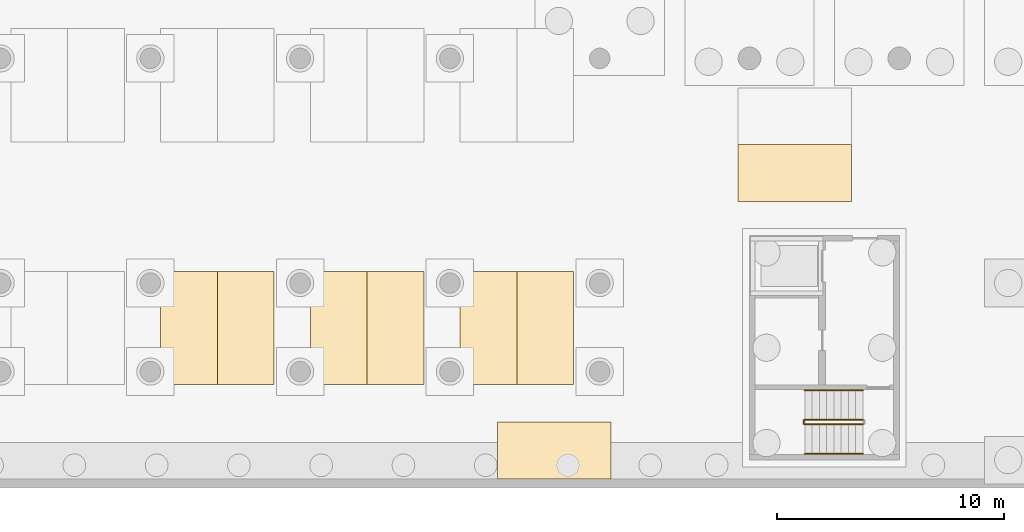
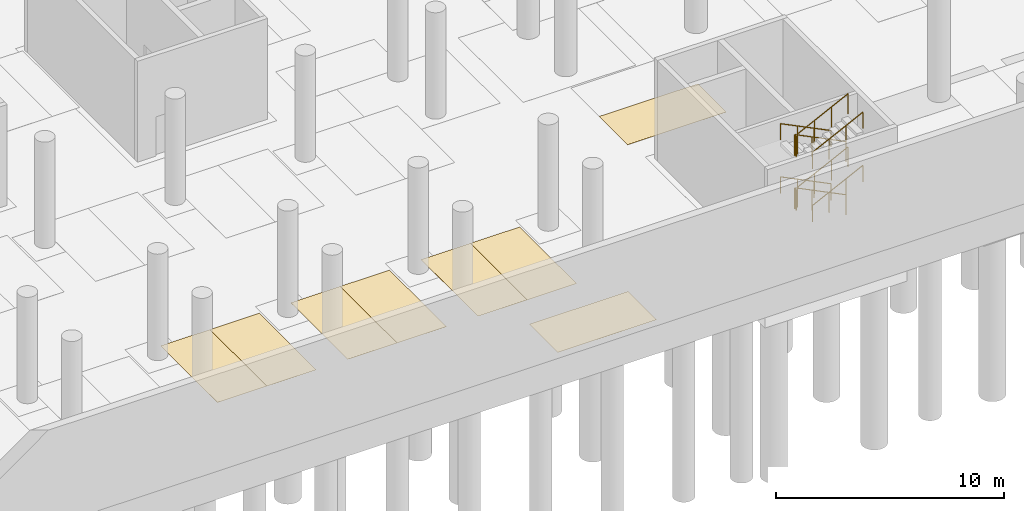
# One storey, part 24 of 38: 10 railings, 8 coverings.
"""IFC4 building model written with IfcOpenShell, lengths in metres."""

from ifc_helpers import new_model, si_unit, direction, frame, origin, origin_2d, place, context, subcontext, project, spatial, polyline, circle, outline, extrude, material, layer, layer_set, type_object, element, save


model = new_model("IFC4")

# Units and contexts
model_context = context("Model", 3, precision=1e-05, world=origin(), true_north=direction((0.0, 1.0)))
body_context = subcontext(model_context, "Body", "Model", "MODEL_VIEW")
ifc_project = project(units=[si_unit("LENGTHUNIT", "METRE"), si_unit("AREAUNIT", "SQUARE_METRE"), si_unit("VOLUMEUNIT", "CUBIC_METRE"), si_unit("PLANEANGLEUNIT", "RADIAN"), si_unit("MASSUNIT", "GRAM", prefix="KILO")], contexts=[model_context])

# Site, building, storey
site_placement = place(None, origin())
site = spatial("IfcSite", under=ifc_project, at=site_placement, CompositionType="ELEMENT")
building_placement = place(site_placement, origin())
building = spatial("IfcBuilding", under=site, at=building_placement, Name="Lantern Court Research Institute", CompositionType="ELEMENT")
storey_placement = place(building_placement, frame((0.0, 0.0, -5.699951171875)))
storey = spatial("IfcBuildingStorey", under=building, at=storey_placement, Name="B1", CompositionType="ELEMENT", Elevation=-5.699951171875)

# Coverings
ifc_material_1 = material(Name="Thermoplastic road marking paint")
ifc_layer_1 = layer(ifc_material_1, 0.0029296875)
ifc_layer_set_1 = layer_set([ifc_layer_1], Name="Thermoplastic road marking paint")
covering_type_1 = type_object("IfcCoveringType", Name="Electric vehicle parking bay marking", PredefinedType="FLOORING", material=ifc_layer_set_1)
covering_1_placement = place(storey_placement, origin())
element("IfcCovering", 1, at=covering_1_placement, inside=storey, type_object=covering_type_1, Name="Electric vehicle parking bay marking 01", PredefinedType="FLOORING", context=body_context, shape_type="SweptSolid", body=[
    extrude(outline(polyline([(52.300048828125, 3.60009765625), (57.300048828125, 3.60009765625), (57.300048828125, 6.10009765625), (52.300048828125, 6.10009765625), (52.300048828125, 3.60009765625)])), origin(), (0.0, 0.0, 1.0), 0.0029296875),
])
ifc_material_2 = material(Name="Thermoplastic road marking paint")
ifc_layer_2 = layer(ifc_material_2, 0.0029296875)
ifc_layer_set_2 = layer_set([ifc_layer_2], Name="Thermoplastic road marking paint")
covering_type_2 = type_object("IfcCoveringType", Name="Parking bay marking", PredefinedType="FLOORING", material=ifc_layer_set_2)
covering_2_placement = place(storey_placement, origin())
element("IfcCovering", 2, at=covering_2_placement, inside=storey, type_object=covering_type_2, Name="Parking bay marking 001", PredefinedType="FLOORING", context=body_context, shape_type="SweptSolid", body=[
    extrude(outline(polyline([(41.699951171875, -8.6298828125), (46.699951171875, -8.6298828125), (46.699951171875, -6.1298828125), (41.699951171875, -6.1298828125), (41.699951171875, -8.6298828125)])), origin(), (0.0, 0.0, 1.0), 0.0029296875),
])
covering_3_placement = place(storey_placement, origin())
element("IfcCovering", 3, at=covering_3_placement, inside=storey, type_object=covering_type_2, Name="Parking bay marking 011", PredefinedType="FLOORING", context=body_context, shape_type="SweptSolid", body=[
    extrude(outline(polyline([(26.85009765625, -4.47998046875), (29.35009765625, -4.47998046875), (29.35009765625, 0.52001953125), (26.85009765625, 0.52001953125), (26.85009765625, -4.47998046875)])), origin(), (0.0, 0.0, 1.0), 0.0029296875),
])
covering_4_placement = place(storey_placement, origin())
element("IfcCovering", 4, at=covering_4_placement, inside=storey, type_object=covering_type_2, Name="Parking bay marking 012", PredefinedType="FLOORING", context=body_context, shape_type="SweptSolid", body=[
    extrude(outline(polyline([(29.35009765625, -4.47998046875), (31.85009765625, -4.47998046875), (31.85009765625, 0.52001953125), (29.35009765625, 0.52001953125), (29.35009765625, -4.47998046875)])), origin(), (0.0, 0.0, 1.0), 0.0029296875),
])
covering_5_placement = place(storey_placement, origin())
element("IfcCovering", 5, at=covering_5_placement, inside=storey, type_object=covering_type_2, Name="Parking bay marking 013", PredefinedType="FLOORING", context=body_context, shape_type="SweptSolid", body=[
    extrude(outline(polyline([(33.449951171875, -4.47998046875), (35.949951171875, -4.47998046875), (35.949951171875, 0.52001953125), (33.449951171875, 0.52001953125), (33.449951171875, -4.47998046875)])), origin(), (0.0, 0.0, 1.0), 0.0029296875),
])
covering_6_placement = place(storey_placement, origin())
element("IfcCovering", 6, at=covering_6_placement, inside=storey, type_object=covering_type_2, Name="Parking bay marking 014", PredefinedType="FLOORING", context=body_context, shape_type="SweptSolid", body=[
    extrude(outline(polyline([(35.949951171875, -4.47998046875), (38.449951171875, -4.47998046875), (38.449951171875, 0.52001953125), (35.949951171875, 0.52001953125), (35.949951171875, -4.47998046875)])), origin(), (0.0, 0.0, 1.0), 0.0029296875),
])
covering_7_placement = place(storey_placement, origin())
element("IfcCovering", 7, at=covering_7_placement, inside=storey, type_object=covering_type_2, Name="Parking bay marking 015", PredefinedType="FLOORING", context=body_context, shape_type="SweptSolid", body=[
    extrude(outline(polyline([(40.050048828125, -4.47998046875), (42.550048828125, -4.47998046875), (42.550048828125, 0.52001953125), (40.050048828125, 0.52001953125), (40.050048828125, -4.47998046875)])), origin(), (0.0, 0.0, 1.0), 0.0029296875),
])
covering_8_placement = place(storey_placement, origin())
element("IfcCovering", 8, at=covering_8_placement, inside=storey, type_object=covering_type_2, Name="Parking bay marking 016", PredefinedType="FLOORING", context=body_context, shape_type="SweptSolid", body=[
    extrude(outline(polyline([(42.550048828125, -4.47998046875), (45.050048828125, -4.47998046875), (45.050048828125, 0.52001953125), (42.550048828125, 0.52001953125), (42.550048828125, -4.47998046875)])), origin(), (0.0, 0.0, 1.0), 0.0029296875),
])

# Railings
ifc_material_3 = material(Name="Structural steel S355", Category="steel")
railing_type_1 = type_object("IfcRailingType", Name="Stair guard 1100 steel", PredefinedType="GUARDRAIL", material=ifc_material_3)
railing_1_placement = place(storey_placement, frame((57.800048828125, -6.02490234375, 0.158203125)))
element("IfcRailing", 9, at=railing_1_placement, inside=storey, type_object=railing_type_1, Name="B1 ST-T1 stair guard 1", PredefinedType="GUARDRAIL", context=body_context, shape_type="SweptSolid", body=[
    extrude(circle(Radius=0.02392578125, at=origin_2d()), frame((0.0, 0.0, 1.076171875), z_axis=(-0.896265777717, 0.0, 0.443517367974), x_axis=(0.0, -1.0, 0.0)), (0.0, 0.0, 1.0), 2.8564453125),
    extrude(circle(Radius=0.02099609375, at=origin_2d()), origin(), (0.0, 0.0, 1.0), 1.052001953125),
    extrude(circle(Radius=0.02099609375, at=origin_2d()), frame((-0.853271484375, 0.0, 0.42236328125)), (0.0, 0.0, 1.0), 1.052001953125),
    extrude(circle(Radius=0.02099609375, at=origin_2d()), frame((-1.706787109375, 0.0, 0.844482421875)), (0.0, 0.0, 1.0), 1.052001953125),
    extrude(circle(Radius=0.02099609375, at=origin_2d()), frame((-2.56005859375, 0.0, 1.266845703125)), (0.0, 0.0, 1.0), 1.052001953125),
])
railing_2_placement = place(storey_placement, frame((55.18994140625, -6.050048828125, 1.425048828125)))
element("IfcRailing", 10, at=railing_2_placement, inside=storey, type_object=railing_type_1, Name="B1 ST-T1 stair guard 2", PredefinedType="GUARDRAIL", context=body_context, shape_type="SweptSolid", body=[
    extrude(circle(Radius=0.02392578125, at=origin_2d()), frame((0.0, 0.0, 1.076171875), z_axis=(0.0, -1.0, 0.0), x_axis=(1.0, 0.0, 0.0)), (0.0, 0.0, 1.0), 0.14990234375),
    extrude(circle(Radius=0.02099609375, at=origin_2d()), origin(), (0.0, 0.0, 1.0), 1.052001953125),
    extrude(circle(Radius=0.02099609375, at=origin_2d()), frame((0.0, -0.14990234375, 0.0)), (0.0, 0.0, 1.0), 1.052001953125),
])
railing_3_placement = place(storey_placement, frame((55.239990234375, -6.22509765625, 1.583251953125)))
element("IfcRailing", 11, at=railing_3_placement, inside=storey, type_object=railing_type_1, Name="B1 ST-T1 stair guard 3", PredefinedType="GUARDRAIL", context=body_context, shape_type="SweptSolid", body=[
    extrude(circle(Radius=0.02392578125, at=origin_2d()), frame((0.0, 0.0, 1.076171875), z_axis=(0.896299752543, 0.0, 0.443448704577), x_axis=(0.0, 1.0, 0.0)), (0.0, 0.0, 1.0), 2.856201171875),
    extrude(circle(Radius=0.02099609375, at=origin_2d()), origin(), (0.0, 0.0, 1.0), 1.052001953125),
    extrude(circle(Radius=0.02099609375, at=origin_2d()), frame((0.853271484375, 0.0, 0.422119140625)), (0.0, 0.0, 1.0), 1.052001953125),
    extrude(circle(Radius=0.02099609375, at=origin_2d()), frame((1.706787109375, 0.0, 0.844482421875)), (0.0, 0.0, 1.0), 1.052001953125),
    extrude(circle(Radius=0.02099609375, at=origin_2d()), frame((2.56005859375, 0.0, 1.2666015625)), (0.0, 0.0, 1.0), 1.052001953125),
])
railing_4_placement = place(storey_placement, frame((57.800048828125, -6.02490234375, 3.00830078125)))
element("IfcRailing", 12, at=railing_4_placement, inside=storey, type_object=railing_type_1, Name="B1 ST-T1 stair guard 5", PredefinedType="GUARDRAIL", context=body_context, shape_type="SweptSolid", body=[
    extrude(circle(Radius=0.02392578125, at=origin_2d()), frame((0.0, 0.0, 1.076171875), z_axis=(-0.896299752543, 0.0, 0.443448704577), x_axis=(0.0, -1.0, 0.0)), (0.0, 0.0, 1.0), 2.856201171875),
    extrude(circle(Radius=0.02099609375, at=origin_2d()), origin(), (0.0, 0.0, 1.0), 1.052001953125),
    extrude(circle(Radius=0.02099609375, at=origin_2d()), frame((-0.853271484375, 0.0, 0.422119140625)), (0.0, 0.0, 1.0), 1.052001953125),
    extrude(circle(Radius=0.02099609375, at=origin_2d()), frame((-1.706787109375, 0.0, 0.844482421875)), (0.0, 0.0, 1.0), 1.052001953125),
    extrude(circle(Radius=0.02099609375, at=origin_2d()), frame((-2.56005859375, 0.0, 1.2666015625)), (0.0, 0.0, 1.0), 1.052001953125),
])
railing_5_placement = place(storey_placement, frame((55.18994140625, -6.050048828125, 4.27490234375)))
element("IfcRailing", 13, at=railing_5_placement, inside=storey, type_object=railing_type_1, Name="B1 ST-T1 stair guard 6", PredefinedType="GUARDRAIL", context=body_context, shape_type="SweptSolid", body=[
    extrude(circle(Radius=0.02392578125, at=origin_2d()), frame((0.0, 0.0, 1.076171875), z_axis=(0.0, -1.0, 0.0), x_axis=(1.0, 0.0, 0.0)), (0.0, 0.0, 1.0), 0.14990234375),
    extrude(circle(Radius=0.02099609375, at=origin_2d()), origin(), (0.0, 0.0, 1.0), 1.052001953125),
    extrude(circle(Radius=0.02099609375, at=origin_2d()), frame((0.0, -0.14990234375, 0.0)), (0.0, 0.0, 1.0), 1.052001953125),
])
railing_6_placement = place(storey_placement, frame((55.239990234375, -6.22509765625, 4.433349609375)))
element("IfcRailing", 14, at=railing_6_placement, inside=storey, type_object=railing_type_1, Name="B1 ST-T1 stair guard 7", PredefinedType="GUARDRAIL", context=body_context, shape_type="SweptSolid", body=[
    extrude(circle(Radius=0.02392578125, at=origin_2d()), frame((0.0, 0.0, 1.076171875), z_axis=(0.896299752543, 0.0, 0.443448704577), x_axis=(0.0, 1.0, 0.0)), (0.0, 0.0, 1.0), 2.856201171875),
    extrude(circle(Radius=0.02099609375, at=origin_2d()), origin(), (0.0, 0.0, 1.0), 1.052001953125),
    extrude(circle(Radius=0.02099609375, at=origin_2d()), frame((0.853271484375, 0.0, 0.422119140625)), (0.0, 0.0, 1.0), 1.052001953125),
    extrude(circle(Radius=0.02099609375, at=origin_2d()), frame((1.706787109375, 0.0, 0.844482421875)), (0.0, 0.0, 1.0), 1.052001953125),
    extrude(circle(Radius=0.02099609375, at=origin_2d()), frame((2.56005859375, 0.0, 1.2666015625)), (0.0, 0.0, 1.0), 1.052001953125),
])
ifc_material_4 = material(Name="Stainless steel 316", Category="steel")
railing_type_2 = type_object("IfcRailingType", Name="Stair handrail 900 steel", PredefinedType="HANDRAIL", material=ifc_material_4)
railing_7_placement = place(storey_placement, frame((57.800048828125, -4.72509765625, 0.158203125)))
element("IfcRailing", 15, at=railing_7_placement, inside=storey, type_object=railing_type_2, Name="B1 ST-T1 stair handrail 1", PredefinedType="HANDRAIL", context=body_context, shape_type="SweptSolid", body=[
    extrude(circle(Radius=0.02392578125, at=origin_2d()), frame((0.0, 0.0, 0.8759765625), z_axis=(-0.896265777717, 0.0, 0.443517367974), x_axis=(0.0, -1.0, 0.0)), (0.0, 0.0, 1.0), 2.8564453125),
    extrude(circle(Radius=0.02099609375, at=origin_2d()), origin(), (0.0, 0.0, 1.0), 0.851806640625),
    extrude(circle(Radius=0.02099609375, at=origin_2d()), frame((-0.853271484375, 0.0, 0.42236328125)), (0.0, 0.0, 1.0), 0.851806640625),
    extrude(circle(Radius=0.02099609375, at=origin_2d()), frame((-1.706787109375, 0.0, 0.844482421875)), (0.0, 0.0, 1.0), 0.851806640625),
    extrude(circle(Radius=0.02099609375, at=origin_2d()), frame((-2.56005859375, 0.0, 1.266845703125)), (0.0, 0.0, 1.0), 0.851806640625),
])
railing_8_placement = place(storey_placement, frame((55.239990234375, -7.52490234375, 1.583251953125)))
element("IfcRailing", 16, at=railing_8_placement, inside=storey, type_object=railing_type_2, Name="B1 ST-T1 stair handrail 2", PredefinedType="HANDRAIL", context=body_context, shape_type="SweptSolid", body=[
    extrude(circle(Radius=0.02392578125, at=origin_2d()), frame((0.0, 0.0, 0.8759765625), z_axis=(0.896299752543, 0.0, 0.443448704577), x_axis=(0.0, 1.0, 0.0)), (0.0, 0.0, 1.0), 2.856201171875),
    extrude(circle(Radius=0.02099609375, at=origin_2d()), origin(), (0.0, 0.0, 1.0), 0.851806640625),
    extrude(circle(Radius=0.02099609375, at=origin_2d()), frame((0.853271484375, 0.0, 0.422119140625)), (0.0, 0.0, 1.0), 0.851806640625),
    extrude(circle(Radius=0.02099609375, at=origin_2d()), frame((1.706787109375, 0.0, 0.844482421875)), (0.0, 0.0, 1.0), 0.851806640625),
    extrude(circle(Radius=0.02099609375, at=origin_2d()), frame((2.56005859375, 0.0, 1.2666015625)), (0.0, 0.0, 1.0), 0.851806640625),
])
railing_9_placement = place(storey_placement, frame((57.800048828125, -4.72509765625, 3.00830078125)))
element("IfcRailing", 17, at=railing_9_placement, inside=storey, type_object=railing_type_2, Name="B1 ST-T1 stair handrail 3", PredefinedType="HANDRAIL", context=body_context, shape_type="SweptSolid", body=[
    extrude(circle(Radius=0.02392578125, at=origin_2d()), frame((0.0, 0.0, 0.8759765625), z_axis=(-0.896299752543, 0.0, 0.443448704577), x_axis=(0.0, -1.0, 0.0)), (0.0, 0.0, 1.0), 2.856201171875),
    extrude(circle(Radius=0.02099609375, at=origin_2d()), origin(), (0.0, 0.0, 1.0), 0.851806640625),
    extrude(circle(Radius=0.02099609375, at=origin_2d()), frame((-0.853271484375, 0.0, 0.422119140625)), (0.0, 0.0, 1.0), 0.851806640625),
    extrude(circle(Radius=0.02099609375, at=origin_2d()), frame((-1.706787109375, 0.0, 0.844482421875)), (0.0, 0.0, 1.0), 0.851806640625),
    extrude(circle(Radius=0.02099609375, at=origin_2d()), frame((-2.56005859375, 0.0, 1.2666015625)), (0.0, 0.0, 1.0), 0.851806640625),
])
railing_10_placement = place(storey_placement, frame((55.239990234375, -7.52490234375, 4.433349609375)))
element("IfcRailing", 18, at=railing_10_placement, inside=storey, type_object=railing_type_2, Name="B1 ST-T1 stair handrail 4", PredefinedType="HANDRAIL", context=body_context, shape_type="SweptSolid", body=[
    extrude(circle(Radius=0.02392578125, at=origin_2d()), frame((0.0, 0.0, 0.8759765625), z_axis=(0.896299752543, 0.0, 0.443448704577), x_axis=(0.0, 1.0, 0.0)), (0.0, 0.0, 1.0), 2.856201171875),
    extrude(circle(Radius=0.02099609375, at=origin_2d()), origin(), (0.0, 0.0, 1.0), 0.851806640625),
    extrude(circle(Radius=0.02099609375, at=origin_2d()), frame((0.853271484375, 0.0, 0.422119140625)), (0.0, 0.0, 1.0), 0.851806640625),
    extrude(circle(Radius=0.02099609375, at=origin_2d()), frame((1.706787109375, 0.0, 0.844482421875)), (0.0, 0.0, 1.0), 0.851806640625),
    extrude(circle(Radius=0.02099609375, at=origin_2d()), frame((2.56005859375, 0.0, 1.2666015625)), (0.0, 0.0, 1.0), 0.851806640625),
])

save(model, "model.ifc")
